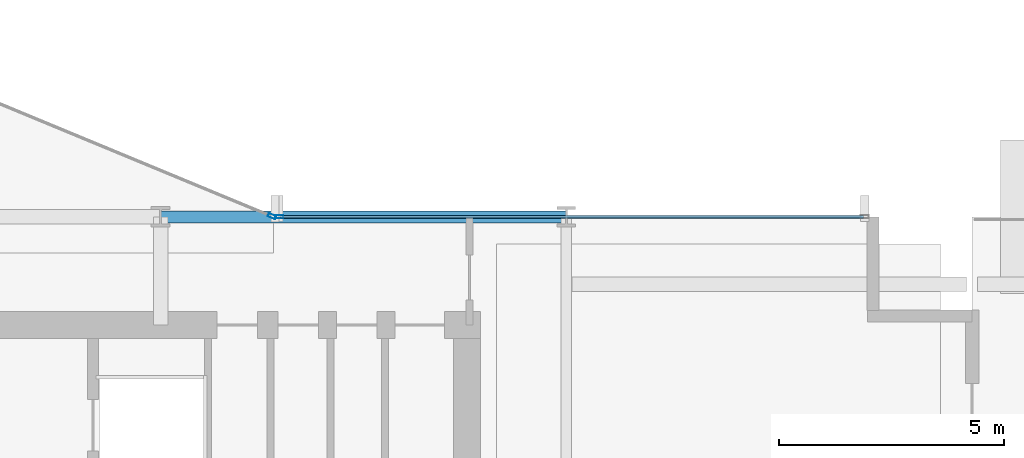
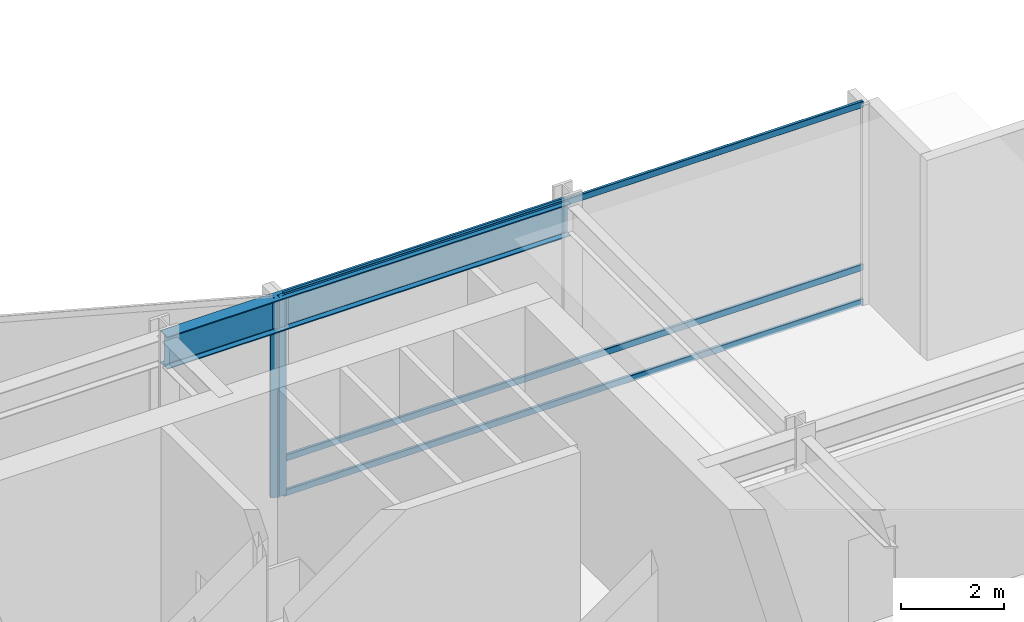
# One storey, part 13 of 33: 5 members, 1 beam, 2 elements without a shape of their own.
"""IFC4 building model written with IfcOpenShell, lengths in metres."""

from ifc_helpers import new_model, si_unit, direction, frame, origin, origin_2d, place, context, subcontext, project, spatial, hollow_rectangle, i_section, extrude, material, layer, layer_set, material_profile, profile_set, type_object, element, aggregate, save


model = new_model("IFC4")

# Units and contexts
model_context = context("Model", 3, precision=1e-05, world=origin(), true_north=direction((0.0, 1.0)))
body_context = subcontext(model_context, "Body", "Model", "MODEL_VIEW")
ifc_project = project(units=[si_unit("LENGTHUNIT", "METRE"), si_unit("AREAUNIT", "SQUARE_METRE"), si_unit("VOLUMEUNIT", "CUBIC_METRE"), si_unit("PLANEANGLEUNIT", "RADIAN"), si_unit("MASSUNIT", "GRAM", prefix="KILO")], contexts=[model_context])

# Site, building, storey
site_placement = place(None, origin())
site = spatial("IfcSite", under=ifc_project, at=site_placement, CompositionType="ELEMENT")
building_placement = place(site_placement, origin())
building = spatial("IfcBuilding", under=site, at=building_placement, Name="Solvaryn Broadcast Tower", CompositionType="ELEMENT")
storey_placement = place(building_placement, frame((0.0, 0.0, 105.0)))
storey = spatial("IfcBuildingStorey", under=building, at=storey_placement, Name="L25", CompositionType="ELEMENT", Elevation=105.0)

# Beam
ifc_material_1 = material(Name="Steel ASTM A992 Grade 50", Category="steel")
ifc_material_profile_1 = material_profile(ifc_material_1, i_section(OverallWidth=0.26708984375, OverallDepth=0.76611328125, WebThickness=0.014892578125, FlangeThickness=0.023681640625, FilletRadius=0.01806640625, at=origin_2d()))
ifc_profile_set_1 = profile_set([ifc_material_profile_1], Name="Steel ASTM A992 Grade 50")
beam_type = type_object("IfcBeamType", Name="BM-SP2-W30X124", PredefinedType="USERDEFINED", material=ifc_profile_set_1)
beam_placement = place(storey_placement, frame((36.0, 27.0, 4.3369140625), z_axis=(1.0, 0.0, 0.0), x_axis=(0.0, 1.0, 0.0)))
element("IfcBeam", 1, at=beam_placement, inside=storey, type_object=beam_type, Name="L25 Spandrel Beam X (36-45 @ Y=27)", ObjectType="SPANDREL", PredefinedType="USERDEFINED", context=body_context, shape_type="SweptSolid", body=[
    extrude(i_section(OverallWidth=0.26708984375, OverallDepth=0.76611328125, WebThickness=0.014892578125, FlangeThickness=0.023681640625, FilletRadius=0.01806640625, at=origin_2d()), origin(), (0.0, 0.0, 1.0), 9.0),
])

# Curtain wall, member
ifc_material_2 = material(Name="Aluminium and Terracotta Unitised Curtain Wall", Category="masonry")
ifc_layer = layer(ifc_material_2, 0.25)
ifc_layer_set = layer_set([ifc_layer], Name="CW-SYS4-SKYGARDEN")
curtain_wall_type = type_object("IfcCurtainWallType", Name="CW-SYS4-SKYGARDEN", PredefinedType="NOTDEFINED", material=ifc_layer_set)
curtain_wall_1_placement = place(storey_placement, origin())
curtain_wall_1 = element("IfcCurtainWall", 2, at=curtain_wall_1_placement, inside=storey, type_object=curtain_wall_type, Name="L25 Curtain Wall CN1", PredefinedType="NOTDEFINED")
ifc_material_3 = material(Name="Anodised Aluminium 6063-T6", Category="aluminium")
ifc_material_profile_2 = material_profile(ifc_material_3, hollow_rectangle(XDim=0.074951171875, YDim=0.179931640625, WallThickness=0.00390625, InnerFilletRadius=0.00390625, OuterFilletRadius=0.008056640625, at=origin_2d()))
ifc_profile_set_2 = profile_set([ifc_material_profile_2], Name="Anodised Aluminium 6063-T6")
member_type_1 = type_object("IfcMemberType", Name="CW-MUL-180", PredefinedType="MULLION", material=ifc_profile_set_2)
member_1_placement = place(storey_placement, frame((38.47216796875, 27.011474609375, 0.0), z_axis=(0.0, 0.0, 1.0), x_axis=(-0.382646127145, -0.923894983957, 0.0)))
member_1 = element("IfcMember", 3, at=member_1_placement, type_object=member_type_1, Name="CWS4 mullion 1", PredefinedType="MULLION", context=body_context, shape_type="SweptSolid", body=[
    extrude(hollow_rectangle(XDim=0.074951171875, YDim=0.179931640625, WallThickness=0.00390625, InnerFilletRadius=0.00390625, OuterFilletRadius=0.008056640625, at=origin_2d()), origin(), (0.0, 0.0, 1.0), 4.719970703125),
])
aggregate(curtain_wall_1, [member_1])

# Curtain wall, members
curtain_wall_2_placement = place(storey_placement, origin())
curtain_wall_2 = element("IfcCurtainWall", 4, at=curtain_wall_2_placement, inside=storey, type_object=curtain_wall_type, Name="L25 Curtain Wall IH", PredefinedType="NOTDEFINED")
member_2_placement = place(storey_placement, frame((38.6298828125, 27.0, 0.0), z_axis=(0.0, 0.0, 1.0), x_axis=(0.0, 1.0, 0.0)))
member_2 = element("IfcMember", 5, at=member_2_placement, type_object=member_type_1, Name="CWS4 mullion 1", PredefinedType="MULLION", context=body_context, shape_type="SweptSolid", body=[
    extrude(hollow_rectangle(XDim=0.074951171875, YDim=0.179931640625, WallThickness=0.00390625, InnerFilletRadius=0.00390625, OuterFilletRadius=0.008056640625, at=origin_2d()), origin(), (0.0, 0.0, 1.0), 4.719970703125),
])
ifc_material_4 = material(Name="Anodised Aluminium 6063-T6", Category="aluminium")
ifc_material_profile_3 = material_profile(ifc_material_4, hollow_rectangle(XDim=0.06494140625, YDim=0.14990234375, WallThickness=0.00390625, InnerFilletRadius=0.00390625, OuterFilletRadius=0.008056640625, at=origin_2d()))
ifc_profile_set_3 = profile_set([ifc_material_profile_3], Name="Anodised Aluminium 6063-T6")
member_type_2 = type_object("IfcMemberType", Name="CW-TRN-150", PredefinedType="USERDEFINED", material=ifc_profile_set_3)
member_3_placement = place(storey_placement, frame((38.659912109375, 27.0, 0.030029296875), z_axis=(1.0, 0.0, 0.0), x_axis=(0.0, 1.0, 0.0)))
member_3 = element("IfcMember", 6, at=member_3_placement, type_object=member_type_2, Name="CWS4 transom 1.1", ObjectType="TRANSOM", PredefinedType="USERDEFINED", context=body_context, shape_type="SweptSolid", body=[
    extrude(hollow_rectangle(XDim=0.06494140625, YDim=0.14990234375, WallThickness=0.00390625, InnerFilletRadius=0.00390625, OuterFilletRadius=0.008056640625, at=origin_2d()), origin(), (0.0, 0.0, 1.0), 12.93017578125),
])
member_4_placement = place(storey_placement, frame((38.659912109375, 27.0, 0.85009765625), z_axis=(1.0, 0.0, 0.0), x_axis=(0.0, 1.0, 0.0)))
member_4 = element("IfcMember", 7, at=member_4_placement, type_object=member_type_2, Name="CWS4 transom 1.2", ObjectType="TRANSOM", PredefinedType="USERDEFINED", context=body_context, shape_type="SweptSolid", body=[
    extrude(hollow_rectangle(XDim=0.06494140625, YDim=0.14990234375, WallThickness=0.00390625, InnerFilletRadius=0.00390625, OuterFilletRadius=0.008056640625, at=origin_2d()), origin(), (0.0, 0.0, 1.0), 12.93017578125),
])
member_5_placement = place(storey_placement, frame((38.659912109375, 27.0, 4.68994140625), z_axis=(1.0, 0.0, 0.0), x_axis=(0.0, 1.0, 0.0)))
member_5 = element("IfcMember", 8, at=member_5_placement, type_object=member_type_2, Name="CWS4 transom 1.3", ObjectType="TRANSOM", PredefinedType="USERDEFINED", context=body_context, shape_type="SweptSolid", body=[
    extrude(hollow_rectangle(XDim=0.06494140625, YDim=0.14990234375, WallThickness=0.00390625, InnerFilletRadius=0.00390625, OuterFilletRadius=0.008056640625, at=origin_2d()), origin(), (0.0, 0.0, 1.0), 12.93017578125),
])
aggregate(curtain_wall_2, [member_2, member_3, member_4, member_5])

save(model, "model.ifc")
